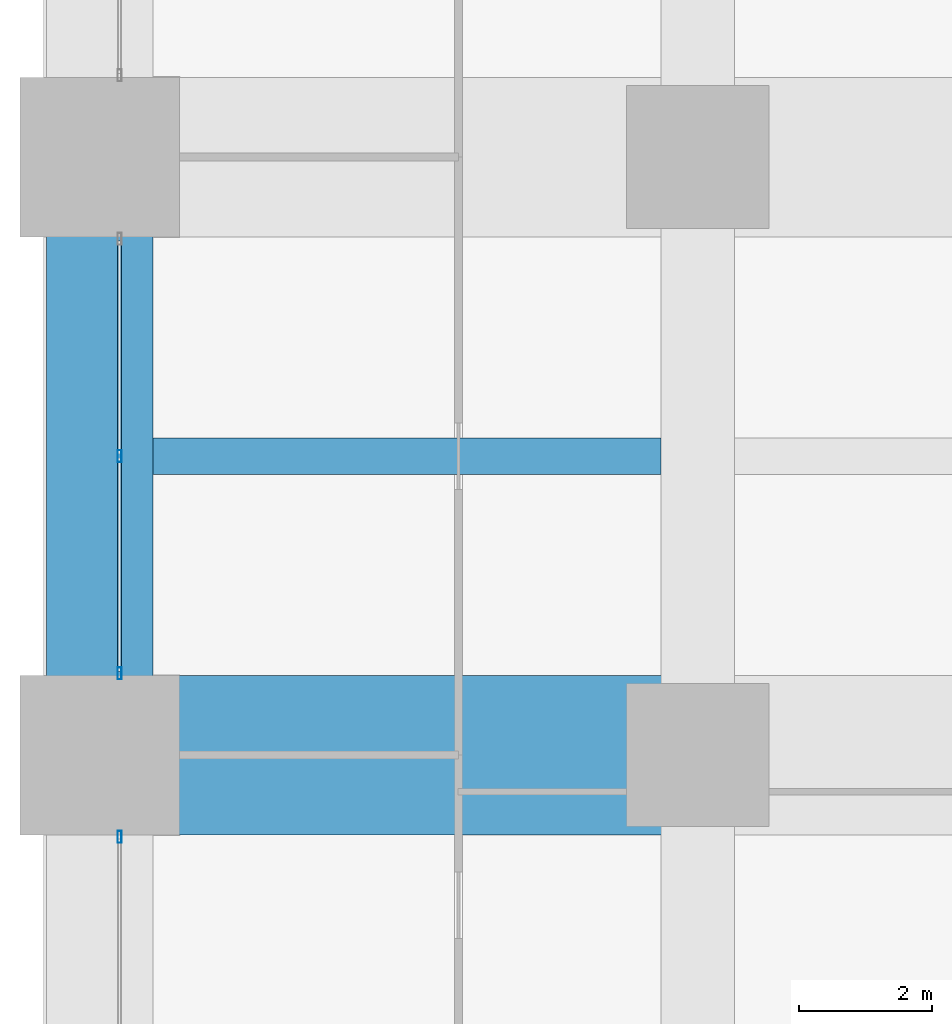
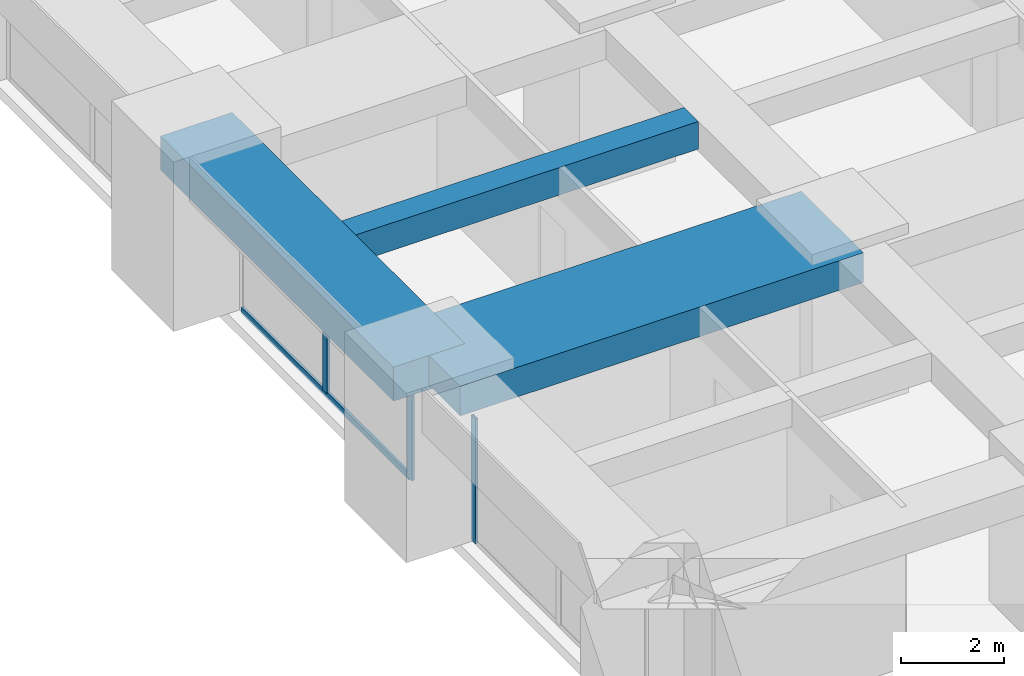
# One storey, part 8 of 45: 4 members, 3 beams, 2 elements without a shape of their own.
"""IFC4 building model written with IfcOpenShell, lengths in metres."""

from ifc_helpers import new_model, si_unit, direction, frame, origin, origin_2d, place, context, subcontext, project, spatial, rectangle, hollow_rectangle, extrude, material, material_profile, profile_set, type_object, element, aggregate, save


model = new_model("IFC4")

# Units and contexts
model_context = context("Model", 3, precision=1e-05, world=origin(), true_north=direction((0.0, 1.0)))
body_context = subcontext(model_context, "Body", "Model", "MODEL_VIEW")
ifc_project = project(units=[si_unit("LENGTHUNIT", "METRE"), si_unit("AREAUNIT", "SQUARE_METRE"), si_unit("VOLUMEUNIT", "CUBIC_METRE"), si_unit("PLANEANGLEUNIT", "RADIAN"), si_unit("MASSUNIT", "GRAM", prefix="KILO")], contexts=[model_context])

# Site, building, storey
site_placement = place(None, origin())
site = spatial("IfcSite", under=ifc_project, at=site_placement, CompositionType="ELEMENT")
building_placement = place(site_placement, origin())
building = spatial("IfcBuilding", under=site, at=building_placement, Name="Zorevar Civic Tower", CompositionType="ELEMENT")
storey_placement = place(building_placement, frame((0.0, 0.0, 71.800048828125)))
storey = spatial("IfcBuildingStorey", under=building, at=storey_placement, Name="L17", CompositionType="ELEMENT", Elevation=71.800048828125)

# Beams
ifc_material_1 = material(Name="Concrete C50/60", Category="concrete")
ifc_material_profile_1 = material_profile(ifc_material_1, rectangle(XDim=2.39990234375, YDim=0.699951171875, at=origin_2d()), Name="RC 2400x700")
ifc_profile_set_1 = profile_set([ifc_material_profile_1], Name="Concrete C50/60")
beam_type_1 = type_object("IfcBeamType", Name="Beam RC 2400x700", PredefinedType="BEAM", material=ifc_profile_set_1)
beam_1_placement = place(storey_placement, frame((0.0, 18.0, 3.39990234375), z_axis=(1.0, 0.0, 0.0), x_axis=(0.0, 1.0, 0.0)))
element("IfcBeam", 1, at=beam_1_placement, inside=storey, type_object=beam_type_1, Name="Girder L18", PredefinedType="BEAM", context=body_context, shape_type="SweptSolid", body=[
    extrude(rectangle(XDim=2.39990234375, YDim=0.699951171875, at=origin_2d()), origin(), (0.0, 0.0, 1.0), 9.0),
])
ifc_material_2 = material(Name="Concrete C50/60", Category="concrete")
ifc_material_profile_2 = material_profile(ifc_material_2, rectangle(XDim=0.550048828125, YDim=0.64990234375, at=origin_2d()), Name="RC 550x650")
ifc_profile_set_2 = profile_set([ifc_material_profile_2], Name="Concrete C50/60")
beam_type_2 = type_object("IfcBeamType", Name="Beam RC 550x650", PredefinedType="BEAM", material=ifc_profile_set_2)
beam_2_placement = place(storey_placement, frame((0.800048828125, 22.5, 3.425048828125), z_axis=(1.0, 0.0, 0.0), x_axis=(0.0, 1.0, 0.0)))
element("IfcBeam", 2, at=beam_2_placement, inside=storey, type_object=beam_type_2, Name="Secondary beam L18", PredefinedType="BEAM", context=body_context, shape_type="SweptSolid", body=[
    extrude(rectangle(XDim=0.550048828125, YDim=0.64990234375, at=origin_2d()), origin(), (0.0, 0.0, 1.0), 7.64990234375),
])

# Curtain wall, member
ifc_material_3 = material(Name="Dark grey solar-control glass in black aluminium frame", Category="aluminium")
curtain_wall_type = type_object("IfcCurtainWallType", Name="Curtain wall CW2 low zone", PredefinedType="NOTDEFINED", material=ifc_material_3)
curtain_wall_1_placement = place(storey_placement, origin())
curtain_wall_1 = element("IfcCurtainWall", 3, at=curtain_wall_1_placement, inside=storey, type_object=curtain_wall_type, Name="CW2 L17", PredefinedType="NOTDEFINED")
ifc_material_4 = material(Name="Aluminium, black anodised", Category="aluminium")
ifc_material_profile_3 = material_profile(ifc_material_4, hollow_rectangle(XDim=0.06005859375, YDim=0.179931640625, WallThickness=0.00390625, at=origin_2d()), Name="AL 180x60x4")
ifc_profile_set_3 = profile_set([ifc_material_profile_3], Name="Aluminium, black anodised")
member_type_1 = type_object("IfcMemberType", Name="CW2 mullion AL 180x60x4", PredefinedType="MULLION", material=ifc_profile_set_3)
member_1_placement = place(storey_placement, frame((0.300048828125, 16.77001953125, 0.0), z_axis=(0.0, 0.0, 1.0), x_axis=(-1.0, 0.0, 0.0)))
member_1 = element("IfcMember", 4, at=member_1_placement, type_object=member_type_1, Name="CW2 mullion 3", PredefinedType="MULLION", context=body_context, shape_type="SweptSolid", body=[
    extrude(hollow_rectangle(XDim=0.06005859375, YDim=0.179931640625, WallThickness=0.00390625, at=origin_2d()), origin(), (0.0, 0.0, 1.0), 2.949951171875),
])
aggregate(curtain_wall_1, [member_1])

# Curtain wall, members
curtain_wall_2_placement = place(storey_placement, origin())
curtain_wall_2 = element("IfcCurtainWall", 5, at=curtain_wall_2_placement, inside=storey, type_object=curtain_wall_type, Name="CW2 L17", PredefinedType="NOTDEFINED")
member_2_placement = place(storey_placement, frame((0.300048828125, 19.22998046875, 0.0), z_axis=(0.0, 0.0, 1.0), x_axis=(-1.0, 0.0, 0.0)))
member_2 = element("IfcMember", 6, at=member_2_placement, type_object=member_type_1, Name="CW2 mullion 1", PredefinedType="MULLION", context=body_context, shape_type="SweptSolid", body=[
    extrude(hollow_rectangle(XDim=0.06005859375, YDim=0.179931640625, WallThickness=0.00390625, at=origin_2d()), origin(), (0.0, 0.0, 1.0), 2.949951171875),
])
member_3_placement = place(storey_placement, frame((0.300048828125, 22.5, 0.06005859375), z_axis=(0.0, 0.0, 1.0), x_axis=(-1.0, 0.0, 0.0)))
member_3 = element("IfcMember", 7, at=member_3_placement, type_object=member_type_1, Name="CW2 mullion 2", PredefinedType="MULLION", context=body_context, shape_type="SweptSolid", body=[
    extrude(hollow_rectangle(XDim=0.06005859375, YDim=0.179931640625, WallThickness=0.00390625, at=origin_2d()), origin(), (0.0, 0.0, 1.0), 2.889892578125),
])
ifc_material_5 = material(Name="Aluminium, black anodised", Category="aluminium")
ifc_material_profile_4 = material_profile(ifc_material_5, hollow_rectangle(XDim=0.06005859375, YDim=0.14990234375, WallThickness=0.00390625, at=origin_2d()), Name="AL 150x60x4")
ifc_profile_set_4 = profile_set([ifc_material_profile_4], Name="Aluminium, black anodised")
member_type_2 = type_object("IfcMemberType", Name="CW2 transom AL 150x60x4", PredefinedType="USERDEFINED", material=ifc_profile_set_4)
member_4_placement = place(storey_placement, frame((0.300048828125, 19.260009765625, 0.030029296875), z_axis=(0.0, 1.0, 0.0), x_axis=(-1.0, 0.0, 0.0)))
member_4 = element("IfcMember", 8, at=member_4_placement, type_object=member_type_2, Name="CW2 sill transom", ObjectType="TRANSOM", PredefinedType="USERDEFINED", context=body_context, shape_type="SweptSolid", body=[
    extrude(hollow_rectangle(XDim=0.06005859375, YDim=0.14990234375, WallThickness=0.00390625, at=origin_2d()), origin(), (0.0, 0.0, 1.0), 6.47998046875),
])
aggregate(curtain_wall_2, [member_2, member_3, member_4])

# Beam
ifc_material_6 = material(Name="Concrete C50/60", Category="concrete")
ifc_material_profile_5 = material_profile(ifc_material_6, rectangle(XDim=1.60009765625, YDim=0.800048828125, at=origin_2d()), Name="RC 1600x800")
ifc_profile_set_5 = profile_set([ifc_material_profile_5], Name="Concrete C50/60")
beam_type_3 = type_object("IfcBeamType", Name="Edge beam RC 1600x800", PredefinedType="SPANDREL", material=ifc_profile_set_5)
beam_3_placement = place(storey_placement, frame((0.0, 18.0, 3.349853515625), z_axis=(0.0, 1.0, 0.0), x_axis=(-1.0, 0.0, 0.0)))
element("IfcBeam", 9, at=beam_3_placement, inside=storey, type_object=beam_type_3, Name="Edge beam L18", PredefinedType="SPANDREL", context=body_context, shape_type="SweptSolid", body=[
    extrude(rectangle(XDim=1.60009765625, YDim=0.800048828125, at=origin_2d()), origin(), (0.0, 0.0, 1.0), 9.0),
])

save(model, "model.ifc")
